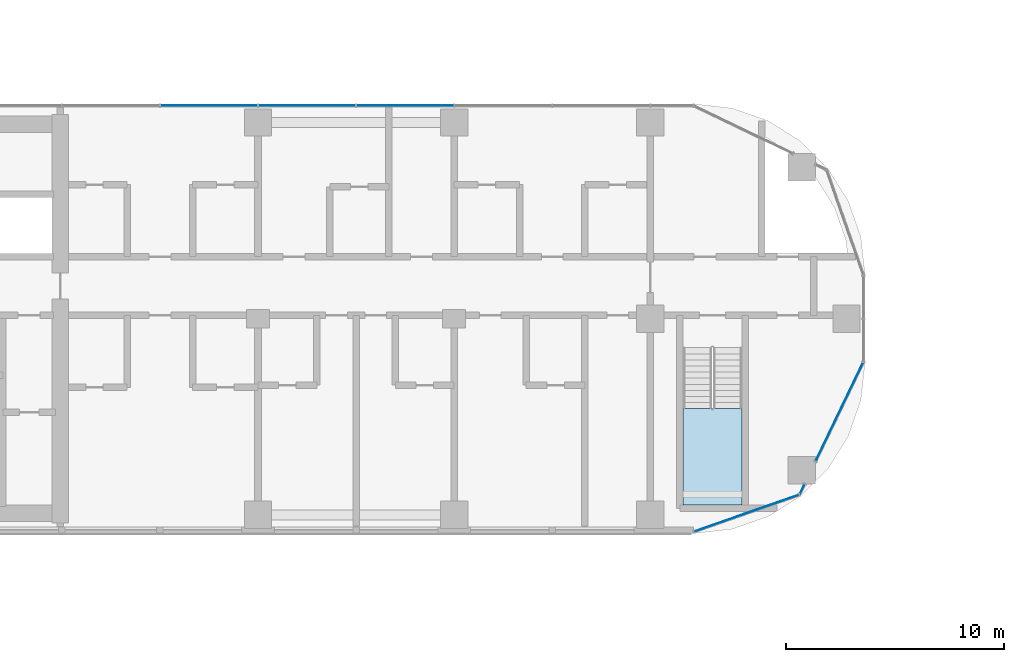
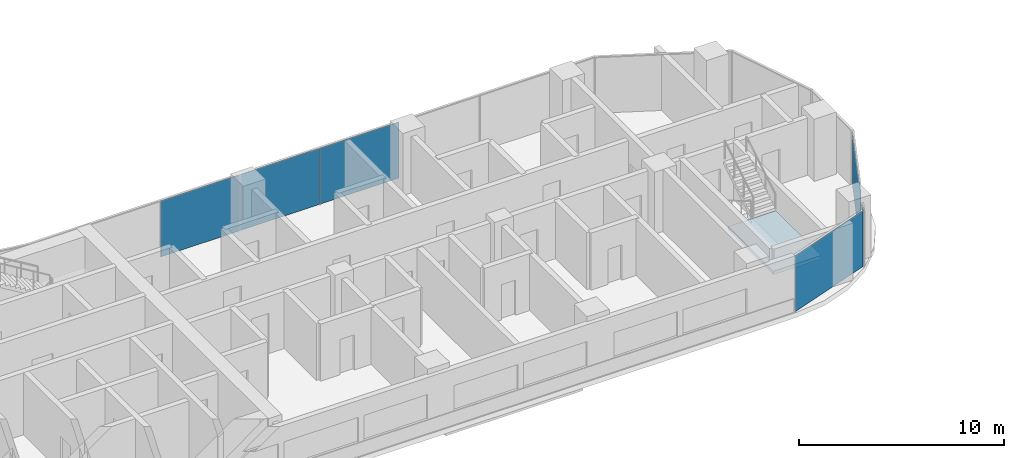
# One storey, part 12 of 35: 6 plates, 1 slab, 4 elements without a shape of their own.
"""IFC4 building model written with IfcOpenShell, lengths in metres."""

from ifc_helpers import new_model, si_unit, direction, frame, origin, origin_2d, place, context, subcontext, project, spatial, polyline, rectangle, outline, extrude, material, layer, layer_set, type_object, element, aggregate, save


model = new_model("IFC4")

# Units and contexts
model_context = context("Model", 3, precision=1e-05, world=origin(), true_north=direction((0.0, 1.0)))
body_context = subcontext(model_context, "Body", "Model", "MODEL_VIEW")
ifc_project = project(units=[si_unit("LENGTHUNIT", "METRE"), si_unit("AREAUNIT", "SQUARE_METRE"), si_unit("VOLUMEUNIT", "CUBIC_METRE"), si_unit("PLANEANGLEUNIT", "RADIAN"), si_unit("MASSUNIT", "GRAM", prefix="KILO")], contexts=[model_context])

# Site, building, storey
site_placement = place(None, origin())
site = spatial("IfcSite", under=ifc_project, at=site_placement, CompositionType="ELEMENT")
building_placement = place(site_placement, origin())
building = spatial("IfcBuilding", under=site, at=building_placement, Name="Ogive Portal Towers", CompositionType="ELEMENT")
storey_placement = place(building_placement, frame((0.0, 0.0, 94.5)))
storey = spatial("IfcBuildingStorey", under=building, at=storey_placement, Name="L22", CompositionType="ELEMENT", Elevation=94.5)

# Curtain wall, plates
ifc_material_1 = material(Name="Glass, clear low-iron insulated glazing", Category="glass")
curtain_wall_type = type_object("IfcCurtainWallType", Name="CW FRONT RIBBON 4500", PredefinedType="NOTDEFINED", material=ifc_material_1)
curtain_wall_1_placement = place(storey_placement, origin())
curtain_wall_1 = element("IfcCurtainWall", 1, at=curtain_wall_1_placement, inside=storey, type_object=curtain_wall_type, Name="A:L22:f11:cw0", PredefinedType="NOTDEFINED")
ifc_layer_1 = layer(ifc_material_1, 0.028076171875)
ifc_layer_set_1 = layer_set([ifc_layer_1], Name="CW PANEL IGU 28")
plate_type = type_object("IfcPlateType", Name="CW PANEL IGU 28", PredefinedType="CURTAIN_PANEL", material=ifc_layer_set_1)
plate_1_placement = place(storey_placement, frame((74.25, 40.27490234375, 0.0), z_axis=(0.0, 0.0, 1.0), x_axis=(-1.0, 0.0, 0.0)))
plate_1 = element("IfcPlate", 2, at=plate_1_placement, type_object=plate_type, Name="panel", PredefinedType="CURTAIN_PANEL", context=body_context, shape_type="SweptSolid", body=[
    extrude(rectangle(XDim=4.43994140625, YDim=0.028076171875, at=origin_2d()), origin(), (0.0, 0.0, 1.0), 3.340087890625),
])
plate_2_placement = place(storey_placement, frame((69.75, 40.27490234375, 0.0), z_axis=(0.0, 0.0, 1.0), x_axis=(-1.0, 0.0, 0.0)))
plate_2 = element("IfcPlate", 3, at=plate_2_placement, type_object=plate_type, Name="panel", PredefinedType="CURTAIN_PANEL", context=body_context, shape_type="SweptSolid", body=[
    extrude(rectangle(XDim=4.43994140625, YDim=0.028076171875, at=origin_2d()), origin(), (0.0, 0.0, 1.0), 3.340087890625),
])
plate_3_placement = place(storey_placement, frame((65.25, 40.27490234375, 0.0), z_axis=(0.0, 0.0, 1.0), x_axis=(-1.0, 0.0, 0.0)))
plate_3 = element("IfcPlate", 4, at=plate_3_placement, type_object=plate_type, Name="panel", PredefinedType="CURTAIN_PANEL", context=body_context, shape_type="SweptSolid", body=[
    extrude(rectangle(XDim=4.43994140625, YDim=0.028076171875, at=origin_2d()), origin(), (0.0, 0.0, 1.0), 3.340087890625),
])
aggregate(curtain_wall_1, [plate_1, plate_2, plate_3])

curtain_wall_2_placement = place(storey_placement, origin())
curtain_wall_2 = element("IfcCurtainWall", 5, at=curtain_wall_2_placement, inside=storey, type_object=curtain_wall_type, Name="A:L22:f06:cwa~0", PredefinedType="NOTDEFINED")
plate_4_placement = place(storey_placement, frame((89.9130859375, 21.57421875, 0.0), z_axis=(0.0, 0.0, 1.0), x_axis=(0.943883330307, 0.33027906196, 0.0)))
plate_4 = element("IfcPlate", 6, at=plate_4_placement, type_object=plate_type, Name="panel", PredefinedType="CURTAIN_PANEL", context=body_context, shape_type="SweptSolid", body=[
    extrude(rectangle(XDim=5.08203125, YDim=0.028076171875, at=origin_2d()), origin(), (0.0, 0.0, 1.0), 3.340087890625),
])
plate_5_placement = place(storey_placement, frame((92.460693359375, 22.674072265625, 0.0), z_axis=(0.0, 0.0, 1.0), x_axis=(0.433883739113, 0.900968867905, 0.0)))
plate_5 = element("IfcPlate", 7, at=plate_5_placement, type_object=plate_type, Name="panel", PredefinedType="CURTAIN_PANEL", context=body_context, shape_type="SweptSolid", body=[
    extrude(rectangle(XDim=0.496826171875, YDim=0.028076171875, at=origin_2d()), origin(), (0.0, 0.0, 1.0), 3.340087890625),
])
aggregate(curtain_wall_2, [plate_4, plate_5])

# Curtain wall, plate
curtain_wall_3_placement = place(storey_placement, origin())
curtain_wall_3 = element("IfcCurtainWall", 8, at=curtain_wall_3_placement, inside=storey, type_object=curtain_wall_type, Name="A:L22:f06:cwa~1", PredefinedType="NOTDEFINED")
plate_6_placement = place(storey_placement, frame((94.175048828125, 26.234130859375, 0.0), z_axis=(0.0, 0.0, 1.0), x_axis=(0.433883739113, 0.900968867905, 0.0)))
plate_6 = element("IfcPlate", 9, at=plate_6_placement, type_object=plate_type, Name="panel", PredefinedType="CURTAIN_PANEL", context=body_context, shape_type="SweptSolid", body=[
    extrude(rectangle(XDim=5.010498046875, YDim=0.028076171875, at=origin_2d()), origin(), (0.0, 0.0, 1.0), 3.340087890625),
])
aggregate(curtain_wall_3, [plate_6])

# Stair, slab
ifc_material_2 = material(Name="Concrete C40/50", Category="concrete")
stair_type = type_object("IfcStairType", Name="INT-STAIR", PredefinedType="HALF_TURN_STAIR", material=ifc_material_2)
stair_placement = place(storey_placement, origin())
stair = element("IfcStair", 10, at=stair_placement, inside=storey, type_object=stair_type, Name="L22 Exit Stair ST-A4", PredefinedType="HALF_TURN_STAIR")
ifc_layer_2 = layer(ifc_material_2, 0.199951171875)
ifc_layer_set_2 = layer_set([ifc_layer_2], Name="INT-LANDING")
slab_type = type_object("IfcSlabType", Name="INT-LANDING", PredefinedType="LANDING", material=ifc_layer_set_2)
slab_placement = place(storey_placement, frame((0.0, 0.0, 1.64990234375)))
slab = element("IfcSlab", 11, at=slab_placement, type_object=slab_type, Name="ST-A4 landing 1", PredefinedType="LANDING", context=body_context, shape_type="SweptSolid", body=[
    extrude(outline(polyline([(87.0, 26.3701171875), (87.0, 21.949951171875), (89.699951171875, 21.949951171875), (89.699951171875, 26.3701171875), (87.0, 26.3701171875)])), origin(), (0.0, 0.0, 1.0), 0.2001953125),
])
aggregate(stair, [slab])

save(model, "model.ifc")
